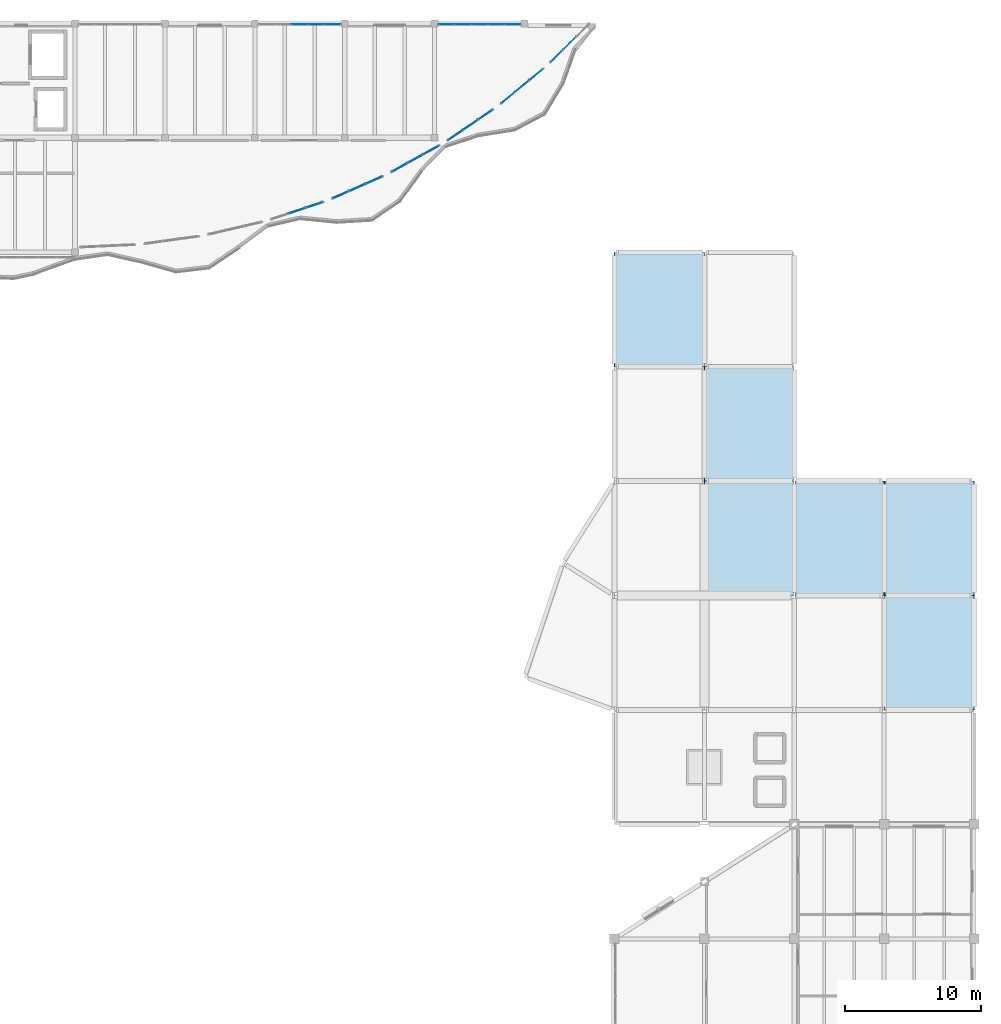
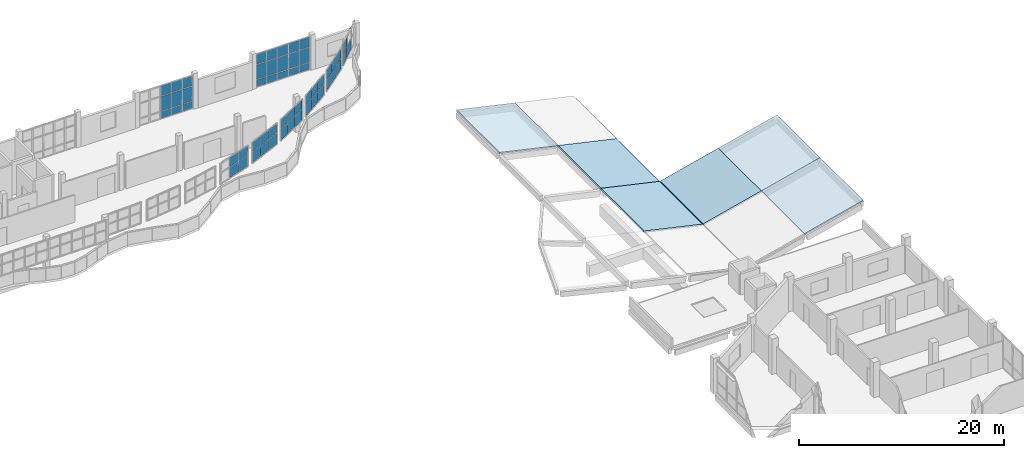
# One storey, part 32 of 47: 55 plates, 6 slabs, 8 elements without a shape of their own.
"""IFC4 building model written with IfcOpenShell, lengths in metres."""

from ifc_helpers import new_model, si_unit, direction, frame, origin, origin_2d, place, context, subcontext, project, spatial, polyline, rectangle, outline, extrude, material, layer, layer_set, type_object, element, aggregate, save


model = new_model("IFC4")

# Units and contexts
model_context = context("Model", 3, precision=1e-05, world=origin(), true_north=direction((0.0, 1.0)))
body_context = subcontext(model_context, "Body", "Model", "MODEL_VIEW")
ifc_project = project(units=[si_unit("LENGTHUNIT", "METRE"), si_unit("AREAUNIT", "SQUARE_METRE"), si_unit("VOLUMEUNIT", "CUBIC_METRE"), si_unit("PLANEANGLEUNIT", "RADIAN"), si_unit("MASSUNIT", "GRAM", prefix="KILO")], contexts=[model_context])

# Site, building, storey
site_placement = place(None, origin())
site = spatial("IfcSite", under=ifc_project, at=site_placement, CompositionType="ELEMENT")
building_placement = place(site_placement, origin())
building = spatial("IfcBuilding", under=site, at=building_placement, Name="Qaldarim Faculty of Natural and Applied Sciences", CompositionType="ELEMENT")
storey_placement = place(building_placement, frame((0.0, 0.0, 22.800048828125)))
storey = spatial("IfcBuildingStorey", under=building, at=storey_placement, Name="L05", CompositionType="ELEMENT", Elevation=22.800048828125)

# Slabs
ifc_material_1 = material(Name="Concrete C40/50", Category="concrete")
ifc_layer_1 = layer(ifc_material_1, 0.18994140625)
ifc_layer_set_1 = layer_set([ifc_layer_1], Name="Concrete C40/50")
slab_type = type_object("IfcSlabType", Name="CommonsFoldedRoofSlab-190", PredefinedType="ROOF", material=ifc_layer_set_1)
slab_1_placement = place(storey_placement, frame((151.75830078125, 92.39990234375, 2.78466796875), z_axis=(0.219531946574, 0.0, 0.975605311811), x_axis=(0.975605311811, 0.0, -0.219531946574)))
element("IfcSlab", 1, at=slab_1_placement, inside=storey, type_object=slab_type, Name="Learning Commons folded butterfly roof panel X24Y12", PredefinedType="ROOF", context=body_context, shape_type="SweptSolid", body=[
    extrude(outline(polyline([(0.0, 0.0), (6.764880670212586, 0.0), (6.764880670212586, 8.400146484375), (0.0, 8.400146484375), (0.0, 0.0)])), origin(), (0.0, 0.0, 1.0), 0.18994140625),
])
for number, where, z_axis, x_axis, name in (
    (2, (158.358154296875, 75.60009765625, 1.299560546875), (0.219486275665, 0.0, 0.975615587614), (0.975615587614, 0.0, -0.219486275665), "Learning Commons folded butterfly roof panel X25Y10"),
    (3, (158.358154296875, 84.0, 1.299560546875), (0.219486275665, 0.0, 0.975615587614), (0.975615587614, 0.0, -0.219486275665), "Learning Commons folded butterfly roof panel X25Y11"),
):
    element("IfcSlab", number, at=place(storey_placement, frame(where, z_axis=z_axis, x_axis=x_axis)), inside=storey, type_object=slab_type, Name=name, PredefinedType="ROOF", context=body_context, shape_type="SweptSolid", body=[
        extrude(outline(polyline([(0.0, 0.0), (6.724019867083356, 0.0), (6.724019867083356, 8.39990234375), (0.0, 8.39990234375), (0.0, 0.0)])), origin(), (0.0, 0.0, 1.0), 0.18994140625),
    ])
slab_2_placement = place(storey_placement, frame((165.086181640625, 75.60009765625, -0.17431640625), z_axis=(-0.242518634316, 0.0, 0.970146747667), x_axis=(0.970146747667, 0.0, 0.242518634316)))
element("IfcSlab", 4, at=slab_2_placement, inside=storey, type_object=slab_type, Name="Learning Commons folded butterfly roof panel X26Y10", PredefinedType="ROOF", context=body_context, shape_type="SweptSolid", body=[
    extrude(outline(polyline([(0.0, 0.0), (6.761924017705515, 0.0), (6.761924017705515, 8.39990234375), (0.0, 8.39990234375), (0.0, 0.0)])), origin(), (0.0, 0.0, 1.0), 0.18994140625),
])
slab_3_placement = place(storey_placement, frame((171.646240234375, 67.199951171875, 1.465576171875), z_axis=(-0.242560957029, 0.0, 0.970136166796), x_axis=(0.970136166796, 0.0, 0.242560957029)))
element("IfcSlab", 5, at=slab_3_placement, inside=storey, type_object=slab_type, Name="Learning Commons folded butterfly roof panel X27Y09", PredefinedType="ROOF", context=body_context, shape_type="SweptSolid", body=[
    extrude(outline(polyline([(0.0, 0.0), (6.803017701550015, 0.0), (6.803017701550015, 8.400146484375), (0.0, 8.400146484375), (0.0, 0.0)])), origin(), (0.0, 0.0, 1.0), 0.18994140625),
])
slab_4_placement = place(storey_placement, frame((171.646240234375, 75.60009765625, 1.465576171875), z_axis=(-0.242560957029, 0.0, 0.970136166796), x_axis=(0.970136166796, 0.0, 0.242560957029)))
element("IfcSlab", 6, at=slab_4_placement, inside=storey, type_object=slab_type, Name="Learning Commons folded butterfly roof panel X27Y10", PredefinedType="ROOF", context=body_context, shape_type="SweptSolid", body=[
    extrude(outline(polyline([(0.0, 0.0), (6.803017701550015, 0.0), (6.803017701550015, 8.39990234375), (0.0, 8.39990234375), (0.0, 0.0)])), origin(), (0.0, 0.0, 1.0), 0.18994140625),
])

# Curtain wall, plates
ifc_material_2 = material(Name="Anodised aluminium AW-6063", Category="aluminium")
curtain_wall_type_1 = type_object("IfcCurtainWallType", Name="CurtainWallSystem-M1200", PredefinedType="USERDEFINED", material=ifc_material_2)
curtain_wall_1_placement = place(storey_placement, origin())
curtain_wall_1 = element("IfcCurtainWall", 7, at=curtain_wall_1_placement, inside=storey, type_object=curtain_wall_type_1, Name="Curtain wall CW-L05-N-X20Y14", ObjectType="STICK CURTAIN WALL", PredefinedType="USERDEFINED")
ifc_material_3 = material(Name="Insulated low-e double glazing", Category="glass")
ifc_layer_2 = layer(ifc_material_3, 0.031982421875)
ifc_layer_set_2 = layer_set([ifc_layer_2], Name="Insulated low-e double glazing")
plate_type_1 = type_object("IfcPlateType", Name="SolarControlGlazingPanel-32", PredefinedType="CURTAIN_PANEL", material=ifc_layer_set_2)
plate_1_placement = place(storey_placement, frame((131.12646484375, 117.52001953125, 0.070068359375), z_axis=(0.0, 0.0, 1.0), x_axis=(-1.0, 0.0, 0.0)))
plate_1 = element("IfcPlate", 8, at=plate_1_placement, type_object=plate_type_1, Name="Glazed panel 1-1 of CW-L05-N-X20Y14", PredefinedType="CURTAIN_PANEL", context=body_context, shape_type="SweptSolid", body=[
    extrude(rectangle(XDim=1.116943359375, YDim=0.031982421875, at=origin_2d()), origin(), (0.0, 0.0, 1.0), 0.794921875),
])
plate_2_placement = place(storey_placement, frame((131.12646484375, 117.52001953125, 0.93505859375), z_axis=(0.0, 0.0, 1.0), x_axis=(-1.0, 0.0, 0.0)))
plate_2 = element("IfcPlate", 9, at=plate_2_placement, type_object=plate_type_1, Name="Glazed panel 1-2 of CW-L05-N-X20Y14", PredefinedType="CURTAIN_PANEL", context=body_context, shape_type="SweptSolid", body=[
    extrude(rectangle(XDim=1.116943359375, YDim=0.031982421875, at=origin_2d()), origin(), (0.0, 0.0, 1.0), 1.72998046875),
])
plate_3_placement = place(storey_placement, frame((131.12646484375, 117.52001953125, 2.73486328125), z_axis=(0.0, 0.0, 1.0), x_axis=(-1.0, 0.0, 0.0)))
plate_3 = element("IfcPlate", 10, at=plate_3_placement, type_object=plate_type_1, Name="Glazed panel 1-3 of CW-L05-N-X20Y14", PredefinedType="CURTAIN_PANEL", context=body_context, shape_type="SweptSolid", body=[
    extrude(rectangle(XDim=1.116943359375, YDim=0.031982421875, at=origin_2d()), origin(), (0.0, 0.0, 1.0), 1.175048828125),
])
plate_4_placement = place(storey_placement, frame((129.922119140625, 117.52001953125, 0.070068359375), z_axis=(0.0, 0.0, 1.0), x_axis=(-1.0, 0.0, 0.0)))
plate_4 = element("IfcPlate", 11, at=plate_4_placement, type_object=plate_type_1, Name="Glazed panel 2-1 of CW-L05-N-X20Y14", PredefinedType="CURTAIN_PANEL", context=body_context, shape_type="SweptSolid", body=[
    extrude(rectangle(XDim=1.152099609375, YDim=0.031982421875, at=origin_2d()), origin(), (0.0, 0.0, 1.0), 0.794921875),
])
plate_5_placement = place(storey_placement, frame((129.922119140625, 117.52001953125, 0.93505859375), z_axis=(0.0, 0.0, 1.0), x_axis=(-1.0, 0.0, 0.0)))
plate_5 = element("IfcPlate", 12, at=plate_5_placement, type_object=plate_type_1, Name="Glazed panel 2-2 of CW-L05-N-X20Y14", PredefinedType="CURTAIN_PANEL", context=body_context, shape_type="SweptSolid", body=[
    extrude(rectangle(XDim=1.152099609375, YDim=0.031982421875, at=origin_2d()), origin(), (0.0, 0.0, 1.0), 1.72998046875),
])
plate_6_placement = place(storey_placement, frame((129.922119140625, 117.52001953125, 2.73486328125), z_axis=(0.0, 0.0, 1.0), x_axis=(-1.0, 0.0, 0.0)))
plate_6 = element("IfcPlate", 13, at=plate_6_placement, type_object=plate_type_1, Name="Glazed panel 2-3 of CW-L05-N-X20Y14", PredefinedType="CURTAIN_PANEL", context=body_context, shape_type="SweptSolid", body=[
    extrude(rectangle(XDim=1.152099609375, YDim=0.031982421875, at=origin_2d()), origin(), (0.0, 0.0, 1.0), 1.175048828125),
])
plate_7_placement = place(storey_placement, frame((128.699951171875, 117.52001953125, 0.070068359375), z_axis=(0.0, 0.0, 1.0), x_axis=(-1.0, 0.0, 0.0)))
plate_7 = element("IfcPlate", 14, at=plate_7_placement, type_object=plate_type_1, Name="Glazed panel 3-1 of CW-L05-N-X20Y14", PredefinedType="CURTAIN_PANEL", context=body_context, shape_type="SweptSolid", body=[
    extrude(rectangle(XDim=1.152099609375, YDim=0.031982421875, at=origin_2d()), origin(), (0.0, 0.0, 1.0), 0.794921875),
])
plate_8_placement = place(storey_placement, frame((128.699951171875, 117.52001953125, 0.93505859375), z_axis=(0.0, 0.0, 1.0), x_axis=(-1.0, 0.0, 0.0)))
plate_8 = element("IfcPlate", 15, at=plate_8_placement, type_object=plate_type_1, Name="Glazed panel 3-2 of CW-L05-N-X20Y14", PredefinedType="CURTAIN_PANEL", context=body_context, shape_type="SweptSolid", body=[
    extrude(rectangle(XDim=1.152099609375, YDim=0.031982421875, at=origin_2d()), origin(), (0.0, 0.0, 1.0), 1.72998046875),
])
plate_9_placement = place(storey_placement, frame((128.699951171875, 117.52001953125, 2.73486328125), z_axis=(0.0, 0.0, 1.0), x_axis=(-1.0, 0.0, 0.0)))
plate_9 = element("IfcPlate", 16, at=plate_9_placement, type_object=plate_type_1, Name="Glazed panel 3-3 of CW-L05-N-X20Y14", PredefinedType="CURTAIN_PANEL", context=body_context, shape_type="SweptSolid", body=[
    extrude(rectangle(XDim=1.152099609375, YDim=0.031982421875, at=origin_2d()), origin(), (0.0, 0.0, 1.0), 1.175048828125),
])
aggregate(curtain_wall_1, [plate_1, plate_2, plate_3, plate_4, plate_5, plate_6, plate_7, plate_8, plate_9])

curtain_wall_2_placement = place(storey_placement, origin())
curtain_wall_2 = element("IfcCurtainWall", 17, at=curtain_wall_2_placement, inside=storey, type_object=curtain_wall_type_1, Name="Curtain wall CW-L05-N-X22Y14", ObjectType="STICK CURTAIN WALL", PredefinedType="USERDEFINED")
plate_10_placement = place(storey_placement, frame((144.326416015625, 117.52001953125, 0.070068359375), z_axis=(0.0, 0.0, 1.0), x_axis=(-1.0, 0.0, 0.0)))
plate_10 = element("IfcPlate", 18, at=plate_10_placement, type_object=plate_type_1, Name="Glazed panel 1-1 of CW-L05-N-X22Y14", PredefinedType="CURTAIN_PANEL", context=body_context, shape_type="SweptSolid", body=[
    extrude(rectangle(XDim=1.116943359375, YDim=0.031982421875, at=origin_2d()), origin(), (0.0, 0.0, 1.0), 0.794921875),
])
plate_11_placement = place(storey_placement, frame((144.326416015625, 117.52001953125, 0.93505859375), z_axis=(0.0, 0.0, 1.0), x_axis=(-1.0, 0.0, 0.0)))
plate_11 = element("IfcPlate", 19, at=plate_11_placement, type_object=plate_type_1, Name="Glazed panel 1-2 of CW-L05-N-X22Y14", PredefinedType="CURTAIN_PANEL", context=body_context, shape_type="SweptSolid", body=[
    extrude(rectangle(XDim=1.116943359375, YDim=0.031982421875, at=origin_2d()), origin(), (0.0, 0.0, 1.0), 1.72998046875),
])
plate_12_placement = place(storey_placement, frame((144.326416015625, 117.52001953125, 2.73486328125), z_axis=(0.0, 0.0, 1.0), x_axis=(-1.0, 0.0, 0.0)))
plate_12 = element("IfcPlate", 20, at=plate_12_placement, type_object=plate_type_1, Name="Glazed panel 1-3 of CW-L05-N-X22Y14", PredefinedType="CURTAIN_PANEL", context=body_context, shape_type="SweptSolid", body=[
    extrude(rectangle(XDim=1.116943359375, YDim=0.031982421875, at=origin_2d()), origin(), (0.0, 0.0, 1.0), 1.175048828125),
])
plate_13_placement = place(storey_placement, frame((143.1220703125, 117.52001953125, 0.070068359375), z_axis=(0.0, 0.0, 1.0), x_axis=(-1.0, 0.0, 0.0)))
plate_13 = element("IfcPlate", 21, at=plate_13_placement, type_object=plate_type_1, Name="Glazed panel 2-1 of CW-L05-N-X22Y14", PredefinedType="CURTAIN_PANEL", context=body_context, shape_type="SweptSolid", body=[
    extrude(rectangle(XDim=1.152099609375, YDim=0.031982421875, at=origin_2d()), origin(), (0.0, 0.0, 1.0), 0.794921875),
])
plate_14_placement = place(storey_placement, frame((143.1220703125, 117.52001953125, 0.93505859375), z_axis=(0.0, 0.0, 1.0), x_axis=(-1.0, 0.0, 0.0)))
plate_14 = element("IfcPlate", 22, at=plate_14_placement, type_object=plate_type_1, Name="Glazed panel 2-2 of CW-L05-N-X22Y14", PredefinedType="CURTAIN_PANEL", context=body_context, shape_type="SweptSolid", body=[
    extrude(rectangle(XDim=1.152099609375, YDim=0.031982421875, at=origin_2d()), origin(), (0.0, 0.0, 1.0), 1.72998046875),
])
plate_15_placement = place(storey_placement, frame((143.1220703125, 117.52001953125, 2.73486328125), z_axis=(0.0, 0.0, 1.0), x_axis=(-1.0, 0.0, 0.0)))
plate_15 = element("IfcPlate", 23, at=plate_15_placement, type_object=plate_type_1, Name="Glazed panel 2-3 of CW-L05-N-X22Y14", PredefinedType="CURTAIN_PANEL", context=body_context, shape_type="SweptSolid", body=[
    extrude(rectangle(XDim=1.152099609375, YDim=0.031982421875, at=origin_2d()), origin(), (0.0, 0.0, 1.0), 1.175048828125),
])
plate_16_placement = place(storey_placement, frame((141.89990234375, 117.52001953125, 0.070068359375), z_axis=(0.0, 0.0, 1.0), x_axis=(-1.0, 0.0, 0.0)))
plate_16 = element("IfcPlate", 24, at=plate_16_placement, type_object=plate_type_1, Name="Glazed panel 3-1 of CW-L05-N-X22Y14", PredefinedType="CURTAIN_PANEL", context=body_context, shape_type="SweptSolid", body=[
    extrude(rectangle(XDim=1.152099609375, YDim=0.031982421875, at=origin_2d()), origin(), (0.0, 0.0, 1.0), 0.794921875),
])
plate_17_placement = place(storey_placement, frame((141.89990234375, 117.52001953125, 0.93505859375), z_axis=(0.0, 0.0, 1.0), x_axis=(-1.0, 0.0, 0.0)))
plate_17 = element("IfcPlate", 25, at=plate_17_placement, type_object=plate_type_1, Name="Glazed panel 3-2 of CW-L05-N-X22Y14", PredefinedType="CURTAIN_PANEL", context=body_context, shape_type="SweptSolid", body=[
    extrude(rectangle(XDim=1.152099609375, YDim=0.031982421875, at=origin_2d()), origin(), (0.0, 0.0, 1.0), 1.72998046875),
])
plate_18_placement = place(storey_placement, frame((141.89990234375, 117.52001953125, 2.73486328125), z_axis=(0.0, 0.0, 1.0), x_axis=(-1.0, 0.0, 0.0)))
plate_18 = element("IfcPlate", 26, at=plate_18_placement, type_object=plate_type_1, Name="Glazed panel 3-3 of CW-L05-N-X22Y14", PredefinedType="CURTAIN_PANEL", context=body_context, shape_type="SweptSolid", body=[
    extrude(rectangle(XDim=1.152099609375, YDim=0.031982421875, at=origin_2d()), origin(), (0.0, 0.0, 1.0), 1.175048828125),
])
plate_19_placement = place(storey_placement, frame((140.677978515625, 117.52001953125, 0.070068359375), z_axis=(0.0, 0.0, 1.0), x_axis=(-1.0, 0.0, 0.0)))
plate_19 = element("IfcPlate", 27, at=plate_19_placement, type_object=plate_type_1, Name="Glazed panel 4-1 of CW-L05-N-X22Y14", PredefinedType="CURTAIN_PANEL", context=body_context, shape_type="SweptSolid", body=[
    extrude(rectangle(XDim=1.152099609375, YDim=0.031982421875, at=origin_2d()), origin(), (0.0, 0.0, 1.0), 0.794921875),
])
plate_20_placement = place(storey_placement, frame((140.677978515625, 117.52001953125, 0.93505859375), z_axis=(0.0, 0.0, 1.0), x_axis=(-1.0, 0.0, 0.0)))
plate_20 = element("IfcPlate", 28, at=plate_20_placement, type_object=plate_type_1, Name="Glazed panel 4-2 of CW-L05-N-X22Y14", PredefinedType="CURTAIN_PANEL", context=body_context, shape_type="SweptSolid", body=[
    extrude(rectangle(XDim=1.152099609375, YDim=0.031982421875, at=origin_2d()), origin(), (0.0, 0.0, 1.0), 1.72998046875),
])
plate_21_placement = place(storey_placement, frame((140.677978515625, 117.52001953125, 2.73486328125), z_axis=(0.0, 0.0, 1.0), x_axis=(-1.0, 0.0, 0.0)))
plate_21 = element("IfcPlate", 29, at=plate_21_placement, type_object=plate_type_1, Name="Glazed panel 4-3 of CW-L05-N-X22Y14", PredefinedType="CURTAIN_PANEL", context=body_context, shape_type="SweptSolid", body=[
    extrude(rectangle(XDim=1.152099609375, YDim=0.031982421875, at=origin_2d()), origin(), (0.0, 0.0, 1.0), 1.175048828125),
])
plate_22_placement = place(storey_placement, frame((139.473388671875, 117.52001953125, 0.070068359375), z_axis=(0.0, 0.0, 1.0), x_axis=(-1.0, 0.0, 0.0)))
plate_22 = element("IfcPlate", 30, at=plate_22_placement, type_object=plate_type_1, Name="Glazed panel 5-1 of CW-L05-N-X22Y14", PredefinedType="CURTAIN_PANEL", context=body_context, shape_type="SweptSolid", body=[
    extrude(rectangle(XDim=1.116943359375, YDim=0.031982421875, at=origin_2d()), origin(), (0.0, 0.0, 1.0), 0.794921875),
])
plate_23_placement = place(storey_placement, frame((139.473388671875, 117.52001953125, 0.93505859375), z_axis=(0.0, 0.0, 1.0), x_axis=(-1.0, 0.0, 0.0)))
plate_23 = element("IfcPlate", 31, at=plate_23_placement, type_object=plate_type_1, Name="Glazed panel 5-2 of CW-L05-N-X22Y14", PredefinedType="CURTAIN_PANEL", context=body_context, shape_type="SweptSolid", body=[
    extrude(rectangle(XDim=1.116943359375, YDim=0.031982421875, at=origin_2d()), origin(), (0.0, 0.0, 1.0), 1.72998046875),
])
plate_24_placement = place(storey_placement, frame((139.473388671875, 117.52001953125, 2.73486328125), z_axis=(0.0, 0.0, 1.0), x_axis=(-1.0, 0.0, 0.0)))
plate_24 = element("IfcPlate", 32, at=plate_24_placement, type_object=plate_type_1, Name="Glazed panel 5-3 of CW-L05-N-X22Y14", PredefinedType="CURTAIN_PANEL", context=body_context, shape_type="SweptSolid", body=[
    extrude(rectangle(XDim=1.116943359375, YDim=0.031982421875, at=origin_2d()), origin(), (0.0, 0.0, 1.0), 1.175048828125),
])
aggregate(curtain_wall_2, [plate_10, plate_11, plate_12, plate_13, plate_14, plate_15, plate_16, plate_17, plate_18, plate_19, plate_20, plate_21, plate_22, plate_23, plate_24])

curtain_wall_type_2 = type_object("IfcCurtainWallType", Name="CurtainWallSystem-M1400", PredefinedType="USERDEFINED", material=ifc_material_2)
curtain_wall_3_placement = place(storey_placement, origin())
curtain_wall_3 = element("IfcCurtainWall", 33, at=curtain_wall_3_placement, inside=storey, type_object=curtain_wall_type_2, Name="Curtain wall CW-V4ARC-L05-06", ObjectType="STICK CURTAIN WALL", PredefinedType="USERDEFINED")
ifc_layer_3 = layer(ifc_material_3, 0.028076171875)
ifc_layer_set_3 = layer_set([ifc_layer_3], Name="Insulated low-e double glazing")
plate_type_2 = type_object("IfcPlateType", Name="VisionGlazingPanel-28", PredefinedType="CURTAIN_PANEL", material=ifc_layer_set_3)
plate_25_placement = place(storey_placement, frame((128.512451171875, 103.85009765625, 1.509765625), z_axis=(0.0, 0.0, 1.0), x_axis=(0.94856152259, 0.316592858196, 0.0)))
plate_25 = element("IfcPlate", 34, at=plate_25_placement, type_object=plate_type_2, Name="Glazed panel 2-1 of CW-V4ARC-L05-06", PredefinedType="CURTAIN_PANEL", context=body_context, shape_type="SweptSolid", body=[
    extrude(rectangle(XDim=1.28759765625, YDim=0.028076171875, at=origin_2d()), origin(), (0.0, 0.0, 1.0), 1.260009765625),
])
plate_26_placement = place(storey_placement, frame((128.512451171875, 103.85009765625, 2.830078125), z_axis=(0.0, 0.0, 1.0), x_axis=(0.94856152259, 0.316592858196, 0.0)))
plate_26 = element("IfcPlate", 35, at=plate_26_placement, type_object=plate_type_2, Name="Glazed panel 2-2 of CW-V4ARC-L05-06", PredefinedType="CURTAIN_PANEL", context=body_context, shape_type="SweptSolid", body=[
    extrude(rectangle(XDim=1.28759765625, YDim=0.028076171875, at=origin_2d()), origin(), (0.0, 0.0, 1.0), 1.070068359375),
])
plate_27_placement = place(storey_placement, frame((129.776611328125, 104.27197265625, 1.509765625), z_axis=(0.0, 0.0, 1.0), x_axis=(0.94856152259, 0.316592858196, 0.0)))
plate_27 = element("IfcPlate", 36, at=plate_27_placement, type_object=plate_type_2, Name="Glazed panel 3-1 of CW-V4ARC-L05-06", PredefinedType="CURTAIN_PANEL", context=body_context, shape_type="SweptSolid", body=[
    extrude(rectangle(XDim=1.2578125, YDim=0.028076171875, at=origin_2d()), origin(), (0.0, 0.0, 1.0), 1.260009765625),
])
plate_28_placement = place(storey_placement, frame((129.776611328125, 104.27197265625, 2.830078125), z_axis=(0.0, 0.0, 1.0), x_axis=(0.94856152259, 0.316592858196, 0.0)))
plate_28 = element("IfcPlate", 37, at=plate_28_placement, type_object=plate_type_2, Name="Glazed panel 3-2 of CW-V4ARC-L05-06", PredefinedType="CURTAIN_PANEL", context=body_context, shape_type="SweptSolid", body=[
    extrude(rectangle(XDim=1.2578125, YDim=0.028076171875, at=origin_2d()), origin(), (0.0, 0.0, 1.0), 1.070068359375),
])
aggregate(curtain_wall_3, [plate_25, plate_26, plate_27, plate_28])

curtain_wall_4_placement = place(storey_placement, origin())
curtain_wall_4 = element("IfcCurtainWall", 38, at=curtain_wall_4_placement, inside=storey, type_object=curtain_wall_type_2, Name="Curtain wall CW-V4ARC-L05-08", ObjectType="STICK CURTAIN WALL", PredefinedType="USERDEFINED")
plate_29_placement = place(storey_placement, frame((131.71630859375, 105.017578125, 1.509765625), z_axis=(0.0, 0.0, 1.0), x_axis=(0.915332565632, 0.40269876371, 0.0)))
plate_29 = element("IfcPlate", 39, at=plate_29_placement, type_object=plate_type_2, Name="Glazed panel 1-1 of CW-V4ARC-L05-08", PredefinedType="CURTAIN_PANEL", context=body_context, shape_type="SweptSolid", body=[
    extrude(rectangle(XDim=1.25927734375, YDim=0.028076171875, at=origin_2d()), origin(), (0.0, 0.0, 1.0), 1.260009765625),
])
plate_30_placement = place(storey_placement, frame((131.71630859375, 105.017578125, 2.830078125), z_axis=(0.0, 0.0, 1.0), x_axis=(0.915332565632, 0.40269876371, 0.0)))
plate_30 = element("IfcPlate", 40, at=plate_30_placement, type_object=plate_type_2, Name="Glazed panel 1-2 of CW-V4ARC-L05-08", PredefinedType="CURTAIN_PANEL", context=body_context, shape_type="SweptSolid", body=[
    extrude(rectangle(XDim=1.25927734375, YDim=0.028076171875, at=origin_2d()), origin(), (0.0, 0.0, 1.0), 1.070068359375),
])
plate_31_placement = place(storey_placement, frame((132.9375, 105.554931640625, 1.509765625), z_axis=(0.0, 0.0, 1.0), x_axis=(0.915332565632, 0.40269876371, 0.0)))
plate_31 = element("IfcPlate", 41, at=plate_31_placement, type_object=plate_type_2, Name="Glazed panel 2-1 of CW-V4ARC-L05-08", PredefinedType="CURTAIN_PANEL", context=body_context, shape_type="SweptSolid", body=[
    extrude(rectangle(XDim=1.289306640625, YDim=0.028076171875, at=origin_2d()), origin(), (0.0, 0.0, 1.0), 1.260009765625),
])
plate_32_placement = place(storey_placement, frame((132.9375, 105.554931640625, 2.830078125), z_axis=(0.0, 0.0, 1.0), x_axis=(0.915332565632, 0.40269876371, 0.0)))
plate_32 = element("IfcPlate", 42, at=plate_32_placement, type_object=plate_type_2, Name="Glazed panel 2-2 of CW-V4ARC-L05-08", PredefinedType="CURTAIN_PANEL", context=body_context, shape_type="SweptSolid", body=[
    extrude(rectangle(XDim=1.289306640625, YDim=0.028076171875, at=origin_2d()), origin(), (0.0, 0.0, 1.0), 1.070068359375),
])
plate_33_placement = place(storey_placement, frame((134.15869140625, 106.09228515625, 1.509765625), z_axis=(0.0, 0.0, 1.0), x_axis=(0.915332565632, 0.40269876371, 0.0)))
plate_33 = element("IfcPlate", 43, at=plate_33_placement, type_object=plate_type_2, Name="Glazed panel 3-1 of CW-V4ARC-L05-08", PredefinedType="CURTAIN_PANEL", context=body_context, shape_type="SweptSolid", body=[
    extrude(rectangle(XDim=1.25927734375, YDim=0.028076171875, at=origin_2d()), origin(), (0.0, 0.0, 1.0), 1.260009765625),
])
plate_34_placement = place(storey_placement, frame((134.15869140625, 106.09228515625, 2.830078125), z_axis=(0.0, 0.0, 1.0), x_axis=(0.915332565632, 0.40269876371, 0.0)))
plate_34 = element("IfcPlate", 44, at=plate_34_placement, type_object=plate_type_2, Name="Glazed panel 3-2 of CW-V4ARC-L05-08", PredefinedType="CURTAIN_PANEL", context=body_context, shape_type="SweptSolid", body=[
    extrude(rectangle(XDim=1.25927734375, YDim=0.028076171875, at=origin_2d()), origin(), (0.0, 0.0, 1.0), 1.070068359375),
])
aggregate(curtain_wall_4, [plate_29, plate_30, plate_31, plate_32, plate_33, plate_34])

curtain_wall_5_placement = place(storey_placement, origin())
curtain_wall_5 = element("IfcCurtainWall", 45, at=curtain_wall_5_placement, inside=storey, type_object=curtain_wall_type_2, Name="Curtain wall CW-V4ARC-L05-10", ObjectType="STICK CURTAIN WALL", PredefinedType="USERDEFINED")
plate_35_placement = place(storey_placement, frame((136.01806640625, 107.013916015625, 1.509765625), z_axis=(0.0, 0.0, 1.0), x_axis=(0.874856525367, 0.484382142552, 0.0)))
plate_35 = element("IfcPlate", 46, at=plate_35_placement, type_object=plate_type_2, Name="Glazed panel 1-1 of CW-V4ARC-L05-10", PredefinedType="CURTAIN_PANEL", context=body_context, shape_type="SweptSolid", body=[
    extrude(rectangle(XDim=1.2587890625, YDim=0.028076171875, at=origin_2d()), origin(), (0.0, 0.0, 1.0), 1.260009765625),
])
plate_36_placement = place(storey_placement, frame((136.01806640625, 107.013916015625, 2.830078125), z_axis=(0.0, 0.0, 1.0), x_axis=(0.874856525367, 0.484382142552, 0.0)))
plate_36 = element("IfcPlate", 47, at=plate_36_placement, type_object=plate_type_2, Name="Glazed panel 1-2 of CW-V4ARC-L05-10", PredefinedType="CURTAIN_PANEL", context=body_context, shape_type="SweptSolid", body=[
    extrude(rectangle(XDim=1.2587890625, YDim=0.028076171875, at=origin_2d()), origin(), (0.0, 0.0, 1.0), 1.070068359375),
])
plate_37_placement = place(storey_placement, frame((137.18505859375, 107.659912109375, 1.509765625), z_axis=(0.0, 0.0, 1.0), x_axis=(0.874856525367, 0.484382142552, 0.0)))
plate_37 = element("IfcPlate", 48, at=plate_37_placement, type_object=plate_type_2, Name="Glazed panel 2-1 of CW-V4ARC-L05-10", PredefinedType="CURTAIN_PANEL", context=body_context, shape_type="SweptSolid", body=[
    extrude(rectangle(XDim=1.288818359375, YDim=0.028076171875, at=origin_2d()), origin(), (0.0, 0.0, 1.0), 1.260009765625),
])
plate_38_placement = place(storey_placement, frame((137.18505859375, 107.659912109375, 2.830078125), z_axis=(0.0, 0.0, 1.0), x_axis=(0.874856525367, 0.484382142552, 0.0)))
plate_38 = element("IfcPlate", 49, at=plate_38_placement, type_object=plate_type_2, Name="Glazed panel 2-2 of CW-V4ARC-L05-10", PredefinedType="CURTAIN_PANEL", context=body_context, shape_type="SweptSolid", body=[
    extrude(rectangle(XDim=1.288818359375, YDim=0.028076171875, at=origin_2d()), origin(), (0.0, 0.0, 1.0), 1.070068359375),
])
plate_39_placement = place(storey_placement, frame((138.351806640625, 108.30615234375, 1.509765625), z_axis=(0.0, 0.0, 1.0), x_axis=(0.874856525367, 0.484382142552, 0.0)))
plate_39 = element("IfcPlate", 50, at=plate_39_placement, type_object=plate_type_2, Name="Glazed panel 3-1 of CW-V4ARC-L05-10", PredefinedType="CURTAIN_PANEL", context=body_context, shape_type="SweptSolid", body=[
    extrude(rectangle(XDim=1.2587890625, YDim=0.028076171875, at=origin_2d()), origin(), (0.0, 0.0, 1.0), 1.260009765625),
])
plate_40_placement = place(storey_placement, frame((138.351806640625, 108.30615234375, 2.830078125), z_axis=(0.0, 0.0, 1.0), x_axis=(0.874856525367, 0.484382142552, 0.0)))
plate_40 = element("IfcPlate", 51, at=plate_40_placement, type_object=plate_type_2, Name="Glazed panel 3-2 of CW-V4ARC-L05-10", PredefinedType="CURTAIN_PANEL", context=body_context, shape_type="SweptSolid", body=[
    extrude(rectangle(XDim=1.2587890625, YDim=0.028076171875, at=origin_2d()), origin(), (0.0, 0.0, 1.0), 1.070068359375),
])
aggregate(curtain_wall_5, [plate_35, plate_36, plate_37, plate_38, plate_39, plate_40])

curtain_wall_6_placement = place(storey_placement, origin())
curtain_wall_6 = element("IfcCurtainWall", 52, at=curtain_wall_6_placement, inside=storey, type_object=curtain_wall_type_2, Name="Curtain wall CW-V4ARC-L05-12", ObjectType="STICK CURTAIN WALL", PredefinedType="USERDEFINED")
plate_41_placement = place(storey_placement, frame((140.119873046875, 109.392578125, 1.509765625), z_axis=(0.0, 0.0, 1.0), x_axis=(0.826884319778, 0.562372049186, 0.0)))
plate_41 = element("IfcPlate", 53, at=plate_41_placement, type_object=plate_type_2, Name="Glazed panel 1-1 of CW-V4ARC-L05-12", PredefinedType="CURTAIN_PANEL", context=body_context, shape_type="SweptSolid", body=[
    extrude(rectangle(XDim=1.25830078125, YDim=0.028076171875, at=origin_2d()), origin(), (0.0, 0.0, 1.0), 1.260009765625),
])
plate_42_placement = place(storey_placement, frame((140.119873046875, 109.392578125, 2.830078125), z_axis=(0.0, 0.0, 1.0), x_axis=(0.826884319778, 0.562372049186, 0.0)))
plate_42 = element("IfcPlate", 54, at=plate_42_placement, type_object=plate_type_2, Name="Glazed panel 1-2 of CW-V4ARC-L05-12", PredefinedType="CURTAIN_PANEL", context=body_context, shape_type="SweptSolid", body=[
    extrude(rectangle(XDim=1.25830078125, YDim=0.028076171875, at=origin_2d()), origin(), (0.0, 0.0, 1.0), 1.070068359375),
])
plate_43_placement = place(storey_placement, frame((141.222412109375, 110.142578125, 1.509765625), z_axis=(0.0, 0.0, 1.0), x_axis=(0.826884319778, 0.562372049186, 0.0)))
plate_43 = element("IfcPlate", 55, at=plate_43_placement, type_object=plate_type_2, Name="Glazed panel 2-1 of CW-V4ARC-L05-12", PredefinedType="CURTAIN_PANEL", context=body_context, shape_type="SweptSolid", body=[
    extrude(rectangle(XDim=1.288330078125, YDim=0.028076171875, at=origin_2d()), origin(), (0.0, 0.0, 1.0), 1.260009765625),
])
plate_44_placement = place(storey_placement, frame((141.222412109375, 110.142578125, 2.830078125), z_axis=(0.0, 0.0, 1.0), x_axis=(0.826884319778, 0.562372049186, 0.0)))
plate_44 = element("IfcPlate", 56, at=plate_44_placement, type_object=plate_type_2, Name="Glazed panel 2-2 of CW-V4ARC-L05-12", PredefinedType="CURTAIN_PANEL", context=body_context, shape_type="SweptSolid", body=[
    extrude(rectangle(XDim=1.288330078125, YDim=0.028076171875, at=origin_2d()), origin(), (0.0, 0.0, 1.0), 1.070068359375),
])
plate_45_placement = place(storey_placement, frame((142.3251953125, 110.892333984375, 1.509765625), z_axis=(0.0, 0.0, 1.0), x_axis=(0.826884319778, 0.562372049186, 0.0)))
plate_45 = element("IfcPlate", 57, at=plate_45_placement, type_object=plate_type_2, Name="Glazed panel 3-1 of CW-V4ARC-L05-12", PredefinedType="CURTAIN_PANEL", context=body_context, shape_type="SweptSolid", body=[
    extrude(rectangle(XDim=1.25830078125, YDim=0.028076171875, at=origin_2d()), origin(), (0.0, 0.0, 1.0), 1.260009765625),
])
plate_46_placement = place(storey_placement, frame((142.3251953125, 110.892333984375, 2.830078125), z_axis=(0.0, 0.0, 1.0), x_axis=(0.826884319778, 0.562372049186, 0.0)))
plate_46 = element("IfcPlate", 58, at=plate_46_placement, type_object=plate_type_2, Name="Glazed panel 3-2 of CW-V4ARC-L05-12", PredefinedType="CURTAIN_PANEL", context=body_context, shape_type="SweptSolid", body=[
    extrude(rectangle(XDim=1.25830078125, YDim=0.028076171875, at=origin_2d()), origin(), (0.0, 0.0, 1.0), 1.070068359375),
])
aggregate(curtain_wall_6, [plate_41, plate_42, plate_43, plate_44, plate_45, plate_46])

curtain_wall_7_placement = place(storey_placement, origin())
curtain_wall_7 = element("IfcCurtainWall", 59, at=curtain_wall_7_placement, inside=storey, type_object=curtain_wall_type_2, Name="Curtain wall CW-V4ARC-L05-14", ObjectType="STICK CURTAIN WALL", PredefinedType="USERDEFINED")
plate_47_placement = place(storey_placement, frame((143.9873046875, 112.138671875, 1.509765625), z_axis=(0.0, 0.0, 1.0), x_axis=(0.771746687418, 0.635930067271, 0.0)))
plate_47 = element("IfcPlate", 60, at=plate_47_placement, type_object=plate_type_2, Name="Glazed panel 1-1 of CW-V4ARC-L05-14", PredefinedType="CURTAIN_PANEL", context=body_context, shape_type="SweptSolid", body=[
    extrude(rectangle(XDim=1.259765625, YDim=0.028076171875, at=origin_2d()), origin(), (0.0, 0.0, 1.0), 1.260009765625),
])
plate_48_placement = place(storey_placement, frame((143.9873046875, 112.138671875, 2.830078125), z_axis=(0.0, 0.0, 1.0), x_axis=(0.771746687418, 0.635930067271, 0.0)))
plate_48 = element("IfcPlate", 61, at=plate_48_placement, type_object=plate_type_2, Name="Glazed panel 1-2 of CW-V4ARC-L05-14", PredefinedType="CURTAIN_PANEL", context=body_context, shape_type="SweptSolid", body=[
    extrude(rectangle(XDim=1.259765625, YDim=0.028076171875, at=origin_2d()), origin(), (0.0, 0.0, 1.0), 1.070068359375),
])
plate_49_placement = place(storey_placement, frame((145.017578125, 112.987548828125, 1.509765625), z_axis=(0.0, 0.0, 1.0), x_axis=(0.771746687418, 0.635930067271, 0.0)))
plate_49 = element("IfcPlate", 62, at=plate_49_placement, type_object=plate_type_2, Name="Glazed panel 2-1 of CW-V4ARC-L05-14", PredefinedType="CURTAIN_PANEL", context=body_context, shape_type="SweptSolid", body=[
    extrude(rectangle(XDim=1.289794921875, YDim=0.028076171875, at=origin_2d()), origin(), (0.0, 0.0, 1.0), 1.260009765625),
])
plate_50_placement = place(storey_placement, frame((145.017578125, 112.987548828125, 2.830078125), z_axis=(0.0, 0.0, 1.0), x_axis=(0.771746687418, 0.635930067271, 0.0)))
plate_50 = element("IfcPlate", 63, at=plate_50_placement, type_object=plate_type_2, Name="Glazed panel 2-2 of CW-V4ARC-L05-14", PredefinedType="CURTAIN_PANEL", context=body_context, shape_type="SweptSolid", body=[
    extrude(rectangle(XDim=1.289794921875, YDim=0.028076171875, at=origin_2d()), origin(), (0.0, 0.0, 1.0), 1.070068359375),
])
plate_51_placement = place(storey_placement, frame((146.047607421875, 113.836181640625, 1.509765625), z_axis=(0.0, 0.0, 1.0), x_axis=(0.771746687418, 0.635930067271, 0.0)))
plate_51 = element("IfcPlate", 64, at=plate_51_placement, type_object=plate_type_2, Name="Glazed panel 3-1 of CW-V4ARC-L05-14", PredefinedType="CURTAIN_PANEL", context=body_context, shape_type="SweptSolid", body=[
    extrude(rectangle(XDim=1.259765625, YDim=0.028076171875, at=origin_2d()), origin(), (0.0, 0.0, 1.0), 1.260009765625),
])
plate_52_placement = place(storey_placement, frame((146.047607421875, 113.836181640625, 2.830078125), z_axis=(0.0, 0.0, 1.0), x_axis=(0.771746687418, 0.635930067271, 0.0)))
plate_52 = element("IfcPlate", 65, at=plate_52_placement, type_object=plate_type_2, Name="Glazed panel 3-2 of CW-V4ARC-L05-14", PredefinedType="CURTAIN_PANEL", context=body_context, shape_type="SweptSolid", body=[
    extrude(rectangle(XDim=1.259765625, YDim=0.028076171875, at=origin_2d()), origin(), (0.0, 0.0, 1.0), 1.070068359375),
])
aggregate(curtain_wall_7, [plate_47, plate_48, plate_49, plate_50, plate_51, plate_52])

curtain_wall_8_placement = place(storey_placement, origin())
curtain_wall_8 = element("IfcCurtainWall", 66, at=curtain_wall_8_placement, inside=storey, type_object=curtain_wall_type_2, Name="Curtain wall CW-V4ARC-L05-16", ObjectType="STICK CURTAIN WALL", PredefinedType="USERDEFINED")
plate_53_placement = place(storey_placement, frame((147.584716796875, 115.2255859375, 1.509765625), z_axis=(0.0, 0.0, 1.0), x_axis=(0.710185375623, 0.704014724456, 0.0)))
plate_53 = element("IfcPlate", 67, at=plate_53_placement, type_object=plate_type_2, Name="Glazed panel 1-1 of CW-V4ARC-L05-16", PredefinedType="CURTAIN_PANEL", context=body_context, shape_type="SweptSolid", body=[
    extrude(rectangle(XDim=1.259521484375, YDim=0.028076171875, at=origin_2d()), origin(), (0.0, 0.0, 1.0), 1.260009765625),
])
plate_54_placement = place(storey_placement, frame((147.584716796875, 115.2255859375, 2.830078125), z_axis=(0.0, 0.0, 1.0), x_axis=(0.710185375623, 0.704014724456, 0.0)))
plate_54 = element("IfcPlate", 68, at=plate_54_placement, type_object=plate_type_2, Name="Glazed panel 1-2 of CW-V4ARC-L05-16", PredefinedType="CURTAIN_PANEL", context=body_context, shape_type="SweptSolid", body=[
    extrude(rectangle(XDim=1.259521484375, YDim=0.028076171875, at=origin_2d()), origin(), (0.0, 0.0, 1.0), 1.070068359375),
])
plate_55_placement = place(storey_placement, frame((148.532470703125, 116.1650390625, 1.509765625), z_axis=(0.0, 0.0, 1.0), x_axis=(0.710185375623, 0.704014724456, 0.0)))
plate_55 = element("IfcPlate", 69, at=plate_55_placement, type_object=plate_type_2, Name="Glazed panel 2-1 of CW-V4ARC-L05-16", PredefinedType="CURTAIN_PANEL", context=body_context, shape_type="SweptSolid", body=[
    extrude(rectangle(XDim=1.289306640625, YDim=0.028076171875, at=origin_2d()), origin(), (0.0, 0.0, 1.0), 1.260009765625),
])
aggregate(curtain_wall_8, [plate_53, plate_54, plate_55])

save(model, "model.ifc")
